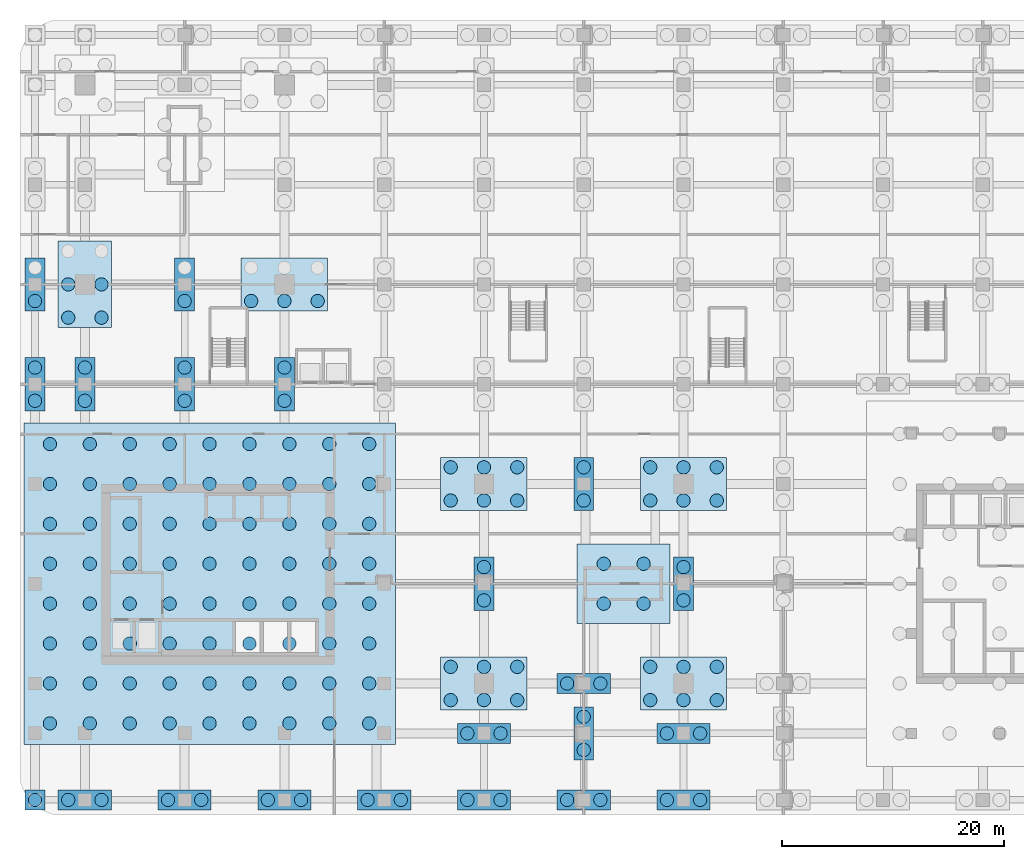
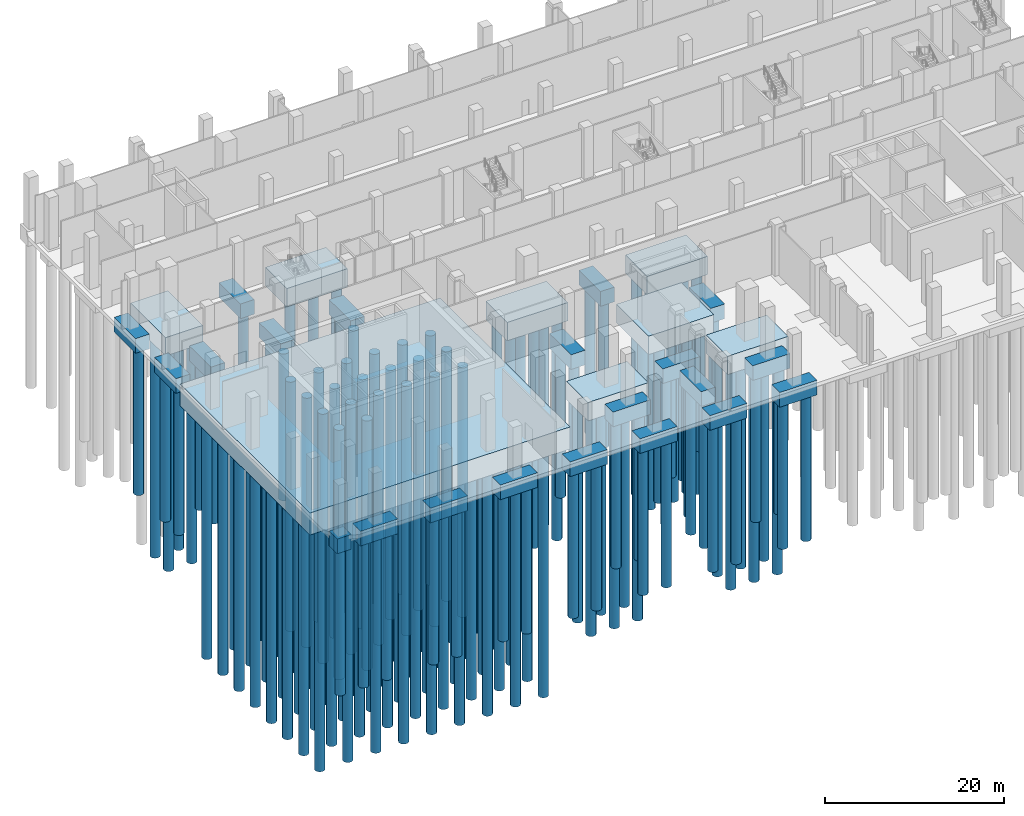
# One storey, part 1 of 23: 146 piles, 29 footings.
"""IFC4 building model written with IfcOpenShell, lengths in metres."""

from ifc_helpers import new_model, si_unit, direction, frame, origin, origin_2d, place, context, subcontext, project, spatial, polyline, circle, outline, extrude, material, layer, layer_set, material_profile, profile_set, type_object, element, save


model = new_model("IFC4")

# Units and contexts
model_context = context("Model", 3, precision=1e-05, world=origin(), true_north=direction((0.0, 1.0)))
body_context = subcontext(model_context, "Body", "Model", "MODEL_VIEW")
ifc_project = project(units=[si_unit("LENGTHUNIT", "METRE"), si_unit("AREAUNIT", "SQUARE_METRE"), si_unit("VOLUMEUNIT", "CUBIC_METRE"), si_unit("PLANEANGLEUNIT", "RADIAN"), si_unit("MASSUNIT", "GRAM", prefix="KILO")], contexts=[model_context])

# Site, building, storey
site_placement = place(None, origin())
site = spatial("IfcSite", under=ifc_project, at=site_placement, CompositionType="ELEMENT")
building_placement = place(site_placement, origin())
building = spatial("IfcBuilding", under=site, at=building_placement, Name="Plateau Cross Towers", CompositionType="ELEMENT")
storey_placement = place(building_placement, frame((0.0, 0.0, -7.0)))
storey = spatial("IfcBuildingStorey", under=building, at=storey_placement, Name="B1", CompositionType="ELEMENT", Elevation=-7.0)

# Piles
ifc_material = material(Name="Concrete C40/50", Category="concrete")
ifc_material_profile = material_profile(ifc_material, circle(Radius=0.60009765625, at=origin_2d()), Name="Bored pile D1200")
ifc_profile_set = profile_set([ifc_material_profile], Name="Concrete C40/50")
pile_type = type_object("IfcPileType", Name="Bored pile D1200", PredefinedType="BORED", material=ifc_profile_set)
for number, where, z_axis, x_axis, name in (
    (1, (-3.14990234375, -3.60009765625, -2.800048828125), (0.0, 0.0, -1.0), (1.0, 0.0, 0.0), "RAFT-A pile 1"),
    (2, (-3.14990234375, 0.0, -2.800048828125), (0.0, 0.0, -1.0), (1.0, 0.0, 0.0), "RAFT-A pile 2"),
    (3, (-3.14990234375, 3.60009765625, -2.800048828125), (0.0, 0.0, -1.0), (1.0, 0.0, 0.0), "RAFT-A pile 3"),
    (4, (-3.14990234375, 7.199951171875, -2.800048828125), (0.0, 0.0, -1.0), (1.0, 0.0, 0.0), "RAFT-A pile 4"),
    (5, (-3.14990234375, 10.800048828125, -2.800048828125), (0.0, 0.0, -1.0), (1.0, 0.0, 0.0), "RAFT-A pile 5"),
    (6, (-3.14990234375, 14.39990234375, -2.800048828125), (0.0, 0.0, -1.0), (1.0, 0.0, 0.0), "RAFT-A pile 6"),
    (7, (-3.14990234375, 18.0, -2.800048828125), (0.0, 0.0, -1.0), (1.0, 0.0, 0.0), "RAFT-A pile 7"),
    (8, (-3.14990234375, 21.60009765625, -2.800048828125), (0.0, 0.0, -1.0), (1.0, 0.0, 0.0), "RAFT-A pile 8"),
    (9, (0.449951171875, -3.60009765625, -2.800048828125), (0.0, 0.0, -1.0), (1.0, 0.0, 0.0), "RAFT-A pile 9"),
    (10, (0.449951171875, 0.0, -2.800048828125), (0.0, 0.0, -1.0), (1.0, 0.0, 0.0), "RAFT-A pile 10"),
    (11, (0.449951171875, 3.60009765625, -2.800048828125), (0.0, 0.0, -1.0), (1.0, 0.0, 0.0), "RAFT-A pile 11"),
    (12, (0.449951171875, 7.199951171875, -2.800048828125), (0.0, 0.0, -1.0), (1.0, 0.0, 0.0), "RAFT-A pile 12"),
    (13, (0.449951171875, 10.800048828125, -2.800048828125), (0.0, 0.0, -1.0), (1.0, 0.0, 0.0), "RAFT-A pile 13"),
    (14, (0.449951171875, 14.39990234375, -2.800048828125), (0.0, 0.0, -1.0), (1.0, 0.0, 0.0), "RAFT-A pile 14"),
    (15, (0.449951171875, 18.0, -2.800048828125), (0.0, 0.0, -1.0), (1.0, 0.0, 0.0), "RAFT-A pile 15"),
    (16, (0.449951171875, 21.60009765625, -2.800048828125), (0.0, 0.0, -1.0), (1.0, 0.0, 0.0), "RAFT-A pile 16"),
    (17, (4.050048828125, -3.60009765625, -2.800048828125), (0.0, 0.0, -1.0), (1.0, 0.0, 0.0), "RAFT-A pile 17"),
    (18, (4.050048828125, 0.0, -2.800048828125), (0.0, 0.0, -1.0), (1.0, 0.0, 0.0), "RAFT-A pile 18"),
    (19, (4.050048828125, 3.60009765625, -2.800048828125), (0.0, 0.0, -1.0), (1.0, 0.0, 0.0), "RAFT-A pile 19"),
    (20, (4.050048828125, 7.199951171875, -2.800048828125), (0.0, 0.0, -1.0), (1.0, 0.0, 0.0), "RAFT-A pile 20"),
    (21, (4.050048828125, 10.800048828125, -2.800048828125), (0.0, 0.0, -1.0), (1.0, 0.0, 0.0), "RAFT-A pile 21"),
    (22, (4.050048828125, 14.39990234375, -2.800048828125), (0.0, 0.0, -1.0), (1.0, 0.0, 0.0), "RAFT-A pile 22"),
    (23, (4.050048828125, 18.0, -2.800048828125), (0.0, 0.0, -1.0), (1.0, 0.0, 0.0), "RAFT-A pile 23"),
    (24, (4.050048828125, 21.60009765625, -2.800048828125), (0.0, 0.0, -1.0), (1.0, 0.0, 0.0), "RAFT-A pile 24"),
    (25, (7.64990234375, -3.60009765625, -2.800048828125), (0.0, 0.0, -1.0), (1.0, 0.0, 0.0), "RAFT-A pile 25"),
    (26, (7.64990234375, 0.0, -2.800048828125), (0.0, 0.0, -1.0), (1.0, 0.0, 0.0), "RAFT-A pile 26"),
    (27, (7.64990234375, 3.60009765625, -2.800048828125), (0.0, 0.0, -1.0), (1.0, 0.0, 0.0), "RAFT-A pile 27"),
    (28, (7.64990234375, 7.199951171875, -2.800048828125), (0.0, 0.0, -1.0), (1.0, 0.0, 0.0), "RAFT-A pile 28"),
    (29, (7.64990234375, 10.800048828125, -2.800048828125), (0.0, 0.0, -1.0), (1.0, 0.0, 0.0), "RAFT-A pile 29"),
    (30, (7.64990234375, 14.39990234375, -2.800048828125), (0.0, 0.0, -1.0), (1.0, 0.0, 0.0), "RAFT-A pile 30"),
    (31, (7.64990234375, 18.0, -2.800048828125), (0.0, 0.0, -1.0), (1.0, 0.0, 0.0), "RAFT-A pile 31"),
    (32, (7.64990234375, 21.60009765625, -2.800048828125), (0.0, 0.0, -1.0), (1.0, 0.0, 0.0), "RAFT-A pile 32"),
    (33, (11.25, -3.60009765625, -2.800048828125), (0.0, 0.0, -1.0), (1.0, 0.0, 0.0), "RAFT-A pile 33"),
    (34, (11.25, 0.0, -2.800048828125), (0.0, 0.0, -1.0), (1.0, 0.0, 0.0), "RAFT-A pile 34"),
    (35, (11.25, 3.60009765625, -2.800048828125), (0.0, 0.0, -1.0), (1.0, 0.0, 0.0), "RAFT-A pile 35"),
    (36, (11.25, 7.199951171875, -2.800048828125), (0.0, 0.0, -1.0), (1.0, 0.0, 0.0), "RAFT-A pile 36"),
    (37, (11.25, 10.800048828125, -2.800048828125), (0.0, 0.0, -1.0), (1.0, 0.0, 0.0), "RAFT-A pile 37"),
    (38, (11.25, 14.39990234375, -2.800048828125), (0.0, 0.0, -1.0), (1.0, 0.0, 0.0), "RAFT-A pile 38"),
    (39, (11.25, 18.0, -2.800048828125), (0.0, 0.0, -1.0), (1.0, 0.0, 0.0), "RAFT-A pile 39"),
    (40, (11.25, 21.60009765625, -2.800048828125), (0.0, 0.0, -1.0), (1.0, 0.0, 0.0), "RAFT-A pile 40"),
    (41, (14.85009765625, -3.60009765625, -2.800048828125), (0.0, 0.0, -1.0), (1.0, 0.0, 0.0), "RAFT-A pile 41"),
    (42, (14.85009765625, 0.0, -2.800048828125), (0.0, 0.0, -1.0), (1.0, 0.0, 0.0), "RAFT-A pile 42"),
    (43, (14.85009765625, 3.60009765625, -2.800048828125), (0.0, 0.0, -1.0), (1.0, 0.0, 0.0), "RAFT-A pile 43"),
    (44, (14.85009765625, 7.199951171875, -2.800048828125), (0.0, 0.0, -1.0), (1.0, 0.0, 0.0), "RAFT-A pile 44"),
    (45, (14.85009765625, 10.800048828125, -2.800048828125), (0.0, 0.0, -1.0), (1.0, 0.0, 0.0), "RAFT-A pile 45"),
    (46, (14.85009765625, 14.39990234375, -2.800048828125), (0.0, 0.0, -1.0), (1.0, 0.0, 0.0), "RAFT-A pile 46"),
    (47, (14.85009765625, 18.0, -2.800048828125), (0.0, 0.0, -1.0), (1.0, 0.0, 0.0), "RAFT-A pile 47"),
    (48, (14.85009765625, 21.60009765625, -2.800048828125), (0.0, 0.0, -1.0), (1.0, 0.0, 0.0), "RAFT-A pile 48"),
    (49, (18.449951171875, -3.60009765625, -2.800048828125), (0.0, 0.0, -1.0), (1.0, 0.0, 0.0), "RAFT-A pile 49"),
    (50, (18.449951171875, 0.0, -2.800048828125), (0.0, 0.0, -1.0), (1.0, 0.0, 0.0), "RAFT-A pile 50"),
    (51, (18.449951171875, 3.60009765625, -2.800048828125), (0.0, 0.0, -1.0), (1.0, 0.0, 0.0), "RAFT-A pile 51"),
    (52, (18.449951171875, 7.199951171875, -2.800048828125), (0.0, 0.0, -1.0), (1.0, 0.0, 0.0), "RAFT-A pile 52"),
    (53, (18.449951171875, 10.800048828125, -2.800048828125), (0.0, 0.0, -1.0), (1.0, 0.0, 0.0), "RAFT-A pile 53"),
    (54, (18.449951171875, 14.39990234375, -2.800048828125), (0.0, 0.0, -1.0), (1.0, 0.0, 0.0), "RAFT-A pile 54"),
    (55, (18.449951171875, 18.0, -2.800048828125), (0.0, 0.0, -1.0), (1.0, 0.0, 0.0), "RAFT-A pile 55"),
    (56, (18.449951171875, 21.60009765625, -2.800048828125), (0.0, 0.0, -1.0), (1.0, 0.0, 0.0), "RAFT-A pile 56"),
    (57, (22.050048828125, -3.60009765625, -2.800048828125), (0.0, 0.0, -1.0), (1.0, 0.0, 0.0), "RAFT-A pile 57"),
    (58, (22.050048828125, 0.0, -2.800048828125), (0.0, 0.0, -1.0), (1.0, 0.0, 0.0), "RAFT-A pile 58"),
    (59, (22.050048828125, 3.60009765625, -2.800048828125), (0.0, 0.0, -1.0), (1.0, 0.0, 0.0), "RAFT-A pile 59"),
    (60, (22.050048828125, 7.199951171875, -2.800048828125), (0.0, 0.0, -1.0), (1.0, 0.0, 0.0), "RAFT-A pile 60"),
    (61, (22.050048828125, 10.800048828125, -2.800048828125), (0.0, 0.0, -1.0), (1.0, 0.0, 0.0), "RAFT-A pile 61"),
    (62, (22.050048828125, 14.39990234375, -2.800048828125), (0.0, 0.0, -1.0), (1.0, 0.0, 0.0), "RAFT-A pile 62"),
    (63, (22.050048828125, 18.0, -2.800048828125), (0.0, 0.0, -1.0), (1.0, 0.0, 0.0), "RAFT-A pile 63"),
    (64, (22.050048828125, 21.60009765625, -2.800048828125), (0.0, 0.0, -1.0), (1.0, 0.0, 0.0), "RAFT-A pile 64"),
    (65, (25.64990234375, -3.60009765625, -2.800048828125), (0.0, 0.0, -1.0), (1.0, 0.0, 0.0), "RAFT-A pile 65"),
    (66, (25.64990234375, 0.0, -2.800048828125), (0.0, 0.0, -1.0), (1.0, 0.0, 0.0), "RAFT-A pile 66"),
    (67, (25.64990234375, 3.60009765625, -2.800048828125), (0.0, 0.0, -1.0), (1.0, 0.0, 0.0), "RAFT-A pile 67"),
    (68, (25.64990234375, 7.199951171875, -2.800048828125), (0.0, 0.0, -1.0), (1.0, 0.0, 0.0), "RAFT-A pile 68"),
    (69, (25.64990234375, 10.800048828125, -2.800048828125), (0.0, 0.0, -1.0), (1.0, 0.0, 0.0), "RAFT-A pile 69"),
    (70, (25.64990234375, 14.39990234375, -2.800048828125), (0.0, 0.0, -1.0), (1.0, 0.0, 0.0), "RAFT-A pile 70"),
    (71, (25.64990234375, 18.0, -2.800048828125), (0.0, 0.0, -1.0), (1.0, 0.0, 0.0), "RAFT-A pile 71"),
    (72, (25.64990234375, 21.60009765625, -2.800048828125), (0.0, 0.0, -1.0), (1.0, 0.0, 0.0), "RAFT-A pile 72"),
):
    element("IfcPile", number, at=place(storey_placement, frame(where, z_axis=z_axis, x_axis=x_axis)), inside=storey, type_object=pile_type, Name=name, PredefinedType="BORED", context=body_context, shape_type="SweptSolid", body=[
        extrude(circle(Radius=0.60009765625, at=origin_2d()), origin(), (0.0, 0.0, 1.0), 34.0),
    ])
for number, where, z_axis, x_axis, name in (
    (73, (46.800048828125, 7.199951171875, -2.300048828125), (0.0, 0.0, -1.0), (1.0, 0.0, 0.0), "CAP-A-end-E pile 1"),
    (74, (50.39990234375, 7.199951171875, -2.300048828125), (0.0, 0.0, -1.0), (1.0, 0.0, 0.0), "CAP-A-end-E pile 2"),
    (75, (46.800048828125, 10.800048828125, -2.300048828125), (0.0, 0.0, -1.0), (1.0, 0.0, 0.0), "CAP-A-end-E pile 3"),
    (76, (50.39990234375, 10.800048828125, -2.300048828125), (0.0, 0.0, -1.0), (1.0, 0.0, 0.0), "CAP-A-end-E pile 4"),
):
    element("IfcPile", number, at=place(storey_placement, frame(where, z_axis=z_axis, x_axis=x_axis)), inside=storey, type_object=pile_type, Name=name, PredefinedType="BORED", context=body_context, shape_type="SweptSolid", body=[
        extrude(circle(Radius=0.60009765625, at=origin_2d()), origin(), (0.0, 0.0, 1.0), 22.0),
    ])
for number, where, z_axis, x_axis, name in (
    (77, (-1.5, 33.0, -2.300048828125), (0.0, 0.0, -1.0), (1.0, 0.0, 0.0), "CAP-P-C0_360 pile 1"),
    (78, (-1.5, 36.0, -2.300048828125), (0.0, 0.0, -1.0), (1.0, 0.0, 0.0), "CAP-P-C0_360 pile 2"),
    (79, (1.5, 33.0, -2.300048828125), (0.0, 0.0, -1.0), (1.0, 0.0, 0.0), "CAP-P-C0_360 pile 4"),
    (80, (1.5, 36.0, -2.300048828125), (0.0, 0.0, -1.0), (1.0, 0.0, 0.0), "CAP-P-C0_360 pile 5"),
    (81, (15.0, 34.5, -2.300048828125), (0.0, 0.0, -1.0), (1.0, 0.0, 0.0), "CAP-P-C180_360 pile 1"),
    (82, (18.0, 34.5, -2.300048828125), (0.0, 0.0, -1.0), (1.0, 0.0, 0.0), "CAP-P-C180_360 pile 3"),
    (83, (21.0, 34.5, -2.300048828125), (0.0, 0.0, -1.0), (1.0, 0.0, 0.0), "CAP-P-C180_360 pile 5"),
    (84, (33.0, -1.5, -2.300048828125), (0.0, 0.0, -1.0), (1.0, 0.0, 0.0), "CAP-P-C360_0 pile 1"),
    (85, (33.0, 1.5, -2.300048828125), (0.0, 0.0, -1.0), (1.0, 0.0, 0.0), "CAP-P-C360_0 pile 2"),
    (86, (36.0, -1.5, -2.300048828125), (0.0, 0.0, -1.0), (1.0, 0.0, 0.0), "CAP-P-C360_0 pile 3"),
    (87, (36.0, 1.5, -2.300048828125), (0.0, 0.0, -1.0), (1.0, 0.0, 0.0), "CAP-P-C360_0 pile 4"),
    (88, (39.0, -1.5, -2.300048828125), (0.0, 0.0, -1.0), (1.0, 0.0, 0.0), "CAP-P-C360_0 pile 5"),
    (89, (39.0, 1.5, -2.300048828125), (0.0, 0.0, -1.0), (1.0, 0.0, 0.0), "CAP-P-C360_0 pile 6"),
    (90, (33.0, 16.5, -2.300048828125), (0.0, 0.0, -1.0), (1.0, 0.0, 0.0), "CAP-P-C360_180 pile 1"),
    (91, (33.0, 19.5, -2.300048828125), (0.0, 0.0, -1.0), (1.0, 0.0, 0.0), "CAP-P-C360_180 pile 2"),
    (92, (36.0, 16.5, -2.300048828125), (0.0, 0.0, -1.0), (1.0, 0.0, 0.0), "CAP-P-C360_180 pile 3"),
    (93, (36.0, 19.5, -2.300048828125), (0.0, 0.0, -1.0), (1.0, 0.0, 0.0), "CAP-P-C360_180 pile 4"),
    (94, (39.0, 16.5, -2.300048828125), (0.0, 0.0, -1.0), (1.0, 0.0, 0.0), "CAP-P-C360_180 pile 5"),
    (95, (39.0, 19.5, -2.300048828125), (0.0, 0.0, -1.0), (1.0, 0.0, 0.0), "CAP-P-C360_180 pile 6"),
    (96, (51.0, -1.5, -2.300048828125), (0.0, 0.0, -1.0), (1.0, 0.0, 0.0), "CAP-P-C540_0 pile 1"),
    (97, (51.0, 1.5, -2.300048828125), (0.0, 0.0, -1.0), (1.0, 0.0, 0.0), "CAP-P-C540_0 pile 2"),
    (98, (54.0, -1.5, -2.300048828125), (0.0, 0.0, -1.0), (1.0, 0.0, 0.0), "CAP-P-C540_0 pile 3"),
    (99, (54.0, 1.5, -2.300048828125), (0.0, 0.0, -1.0), (1.0, 0.0, 0.0), "CAP-P-C540_0 pile 4"),
    (100, (57.0, -1.5, -2.300048828125), (0.0, 0.0, -1.0), (1.0, 0.0, 0.0), "CAP-P-C540_0 pile 5"),
    (101, (57.0, 1.5, -2.300048828125), (0.0, 0.0, -1.0), (1.0, 0.0, 0.0), "CAP-P-C540_0 pile 6"),
    (102, (51.0, 16.5, -2.300048828125), (0.0, 0.0, -1.0), (1.0, 0.0, 0.0), "CAP-P-C540_180 pile 1"),
    (103, (51.0, 19.5, -2.300048828125), (0.0, 0.0, -1.0), (1.0, 0.0, 0.0), "CAP-P-C540_180 pile 2"),
    (104, (54.0, 16.5, -2.300048828125), (0.0, 0.0, -1.0), (1.0, 0.0, 0.0), "CAP-P-C540_180 pile 3"),
    (105, (54.0, 19.5, -2.300048828125), (0.0, 0.0, -1.0), (1.0, 0.0, 0.0), "CAP-P-C540_180 pile 4"),
    (106, (57.0, 16.5, -2.300048828125), (0.0, 0.0, -1.0), (1.0, 0.0, 0.0), "CAP-P-C540_180 pile 5"),
    (107, (57.0, 19.5, -2.300048828125), (0.0, 0.0, -1.0), (1.0, 0.0, 0.0), "CAP-P-C540_180 pile 6"),
):
    element("IfcPile", number, at=place(storey_placement, frame(where, z_axis=z_axis, x_axis=x_axis)), inside=storey, type_object=pile_type, Name=name, PredefinedType="BORED", context=body_context, shape_type="SweptSolid", body=[
        extrude(circle(Radius=0.60009765625, at=origin_2d()), origin(), (0.0, 0.0, 1.0), 30.0),
    ])
for number, where, z_axis, x_axis, name in (
    (108, (-4.5, -10.5, -1.800048828125), (0.0, 0.0, -1.0), (1.0, 0.0, 0.0), "CAP-P-C-45_-105 pile 1"),
    (109, (-4.5, 25.5, -1.800048828125), (0.0, 0.0, -1.0), (1.0, 0.0, 0.0), "CAP-P-C-45_270 pile 1"),
    (110, (-4.5, 28.5, -1.800048828125), (0.0, 0.0, -1.0), (1.0, 0.0, 0.0), "CAP-P-C-45_270 pile 2"),
    (111, (-4.5, 34.5, -1.800048828125), (0.0, 0.0, -1.0), (1.0, 0.0, 0.0), "CAP-P-C-45_360 pile 1"),
    (112, (-1.5, -10.5, -1.800048828125), (0.0, 0.0, -1.0), (1.0, 0.0, 0.0), "CAP-P-C0_-105 pile 1"),
    (113, (1.5, -10.5, -1.800048828125), (0.0, 0.0, -1.0), (1.0, 0.0, 0.0), "CAP-P-C0_-105 pile 2"),
    (114, (0.0, 25.5, -1.800048828125), (0.0, 0.0, -1.0), (1.0, 0.0, 0.0), "CAP-P-C0_270 pile 1"),
    (115, (0.0, 28.5, -1.800048828125), (0.0, 0.0, -1.0), (1.0, 0.0, 0.0), "CAP-P-C0_270 pile 2"),
    (116, (7.5, -10.5, -1.800048828125), (0.0, 0.0, -1.0), (1.0, 0.0, 0.0), "CAP-P-C90_-105 pile 1"),
    (117, (10.5, -10.5, -1.800048828125), (0.0, 0.0, -1.0), (1.0, 0.0, 0.0), "CAP-P-C90_-105 pile 2"),
    (118, (9.0, 25.5, -1.800048828125), (0.0, 0.0, -1.0), (1.0, 0.0, 0.0), "CAP-P-C90_270 pile 1"),
    (119, (9.0, 28.5, -1.800048828125), (0.0, 0.0, -1.0), (1.0, 0.0, 0.0), "CAP-P-C90_270 pile 2"),
    (120, (9.0, 34.5, -1.800048828125), (0.0, 0.0, -1.0), (1.0, 0.0, 0.0), "CAP-P-C90_360 pile 1"),
    (121, (16.5, -10.5, -1.800048828125), (0.0, 0.0, -1.0), (1.0, 0.0, 0.0), "CAP-P-C180_-105 pile 1"),
    (122, (19.5, -10.5, -1.800048828125), (0.0, 0.0, -1.0), (1.0, 0.0, 0.0), "CAP-P-C180_-105 pile 2"),
    (123, (18.0, 25.5, -1.800048828125), (0.0, 0.0, -1.0), (1.0, 0.0, 0.0), "CAP-P-C180_270 pile 1"),
    (124, (18.0, 28.5, -1.800048828125), (0.0, 0.0, -1.0), (1.0, 0.0, 0.0), "CAP-P-C180_270 pile 2"),
    (125, (25.5, -10.5, -1.800048828125), (0.0, 0.0, -1.0), (1.0, 0.0, 0.0), "CAP-P-C270_-105 pile 1"),
    (126, (28.5, -10.5, -1.800048828125), (0.0, 0.0, -1.0), (1.0, 0.0, 0.0), "CAP-P-C270_-105 pile 2"),
    (127, (34.5, -10.5, -1.800048828125), (0.0, 0.0, -1.0), (1.0, 0.0, 0.0), "CAP-P-C360_-105 pile 1"),
    (128, (37.5, -10.5, -1.800048828125), (0.0, 0.0, -1.0), (1.0, 0.0, 0.0), "CAP-P-C360_-105 pile 2"),
    (129, (34.5, -4.5, -1.800048828125), (0.0, 0.0, -1.0), (1.0, 0.0, 0.0), "CAP-P-C360_-45 pile 1"),
    (130, (37.5, -4.5, -1.800048828125), (0.0, 0.0, -1.0), (1.0, 0.0, 0.0), "CAP-P-C360_-45 pile 2"),
    (131, (36.0, 7.5, -1.800048828125), (0.0, 0.0, -1.0), (1.0, 0.0, 0.0), "CAP-P-C360_90 pile 1"),
    (132, (36.0, 10.5, -1.800048828125), (0.0, 0.0, -1.0), (1.0, 0.0, 0.0), "CAP-P-C360_90 pile 2"),
    (133, (43.5, -10.5, -1.800048828125), (0.0, 0.0, -1.0), (1.0, 0.0, 0.0), "CAP-P-C450_-105 pile 1"),
    (134, (46.5, -10.5, -1.800048828125), (0.0, 0.0, -1.0), (1.0, 0.0, 0.0), "CAP-P-C450_-105 pile 2"),
    (135, (45.0, -6.0, -1.800048828125), (0.0, 0.0, -1.0), (1.0, 0.0, 0.0), "CAP-P-C450_-45 pile 1"),
    (136, (45.0, -3.0, -1.800048828125), (0.0, 0.0, -1.0), (1.0, 0.0, 0.0), "CAP-P-C450_-45 pile 2"),
    (137, (43.5, 0.0, -1.800048828125), (0.0, 0.0, -1.0), (1.0, 0.0, 0.0), "CAP-P-C450_0 pile 1"),
    (138, (46.5, 0.0, -1.800048828125), (0.0, 0.0, -1.0), (1.0, 0.0, 0.0), "CAP-P-C450_0 pile 2"),
    (139, (45.0, 16.5, -1.800048828125), (0.0, 0.0, -1.0), (1.0, 0.0, 0.0), "CAP-P-C450_180 pile 1"),
    (140, (45.0, 19.5, -1.800048828125), (0.0, 0.0, -1.0), (1.0, 0.0, 0.0), "CAP-P-C450_180 pile 2"),
    (141, (52.5, -10.5, -1.800048828125), (0.0, 0.0, -1.0), (1.0, 0.0, 0.0), "CAP-P-C540_-105 pile 1"),
    (142, (55.5, -10.5, -1.800048828125), (0.0, 0.0, -1.0), (1.0, 0.0, 0.0), "CAP-P-C540_-105 pile 2"),
    (143, (52.5, -4.5, -1.800048828125), (0.0, 0.0, -1.0), (1.0, 0.0, 0.0), "CAP-P-C540_-45 pile 1"),
    (144, (55.5, -4.5, -1.800048828125), (0.0, 0.0, -1.0), (1.0, 0.0, 0.0), "CAP-P-C540_-45 pile 2"),
    (145, (54.0, 7.5, -1.800048828125), (0.0, 0.0, -1.0), (1.0, 0.0, 0.0), "CAP-P-C540_90 pile 1"),
    (146, (54.0, 10.5, -1.800048828125), (0.0, 0.0, -1.0), (1.0, 0.0, 0.0), "CAP-P-C540_90 pile 2"),
):
    element("IfcPile", number, at=place(storey_placement, frame(where, z_axis=z_axis, x_axis=x_axis)), inside=storey, type_object=pile_type, Name=name, PredefinedType="BORED", context=body_context, shape_type="SweptSolid", body=[
        extrude(circle(Radius=0.60009765625, at=origin_2d()), origin(), (0.0, 0.0, 1.0), 20.0),
    ])

# Footings
ifc_layer = layer(ifc_material, 3.0)
ifc_layer_set = layer_set([ifc_layer], Name="Concrete C40/50")
footing_type_1 = type_object("IfcFootingType", Name="Core raft tower A 3000", PredefinedType="PAD_FOOTING", material=ifc_layer_set)
footing_1_placement = place(storey_placement, frame((0.0, 0.0, -3.0)))
element("IfcFooting", 147, at=footing_1_placement, inside=storey, type_object=footing_type_1, Name="RAFT-A", PredefinedType="PAD_FOOTING", context=body_context, shape_type="SweptSolid", body=[
    extrude(outline(polyline([(28.0, -5.5), (28.0, 23.5), (-5.5, 23.5), (-5.5, -5.5), (28.0, -5.5)])), origin(), (0.0, 0.0, 1.0), 3.0),
])
footing_type_2 = type_object("IfcFootingType", Name="Pile cap 1800x1800x2000", PredefinedType="PILE_CAP", material=ifc_material)
footing_2_placement = place(storey_placement, frame((0.0, 0.0, -2.0)))
element("IfcFooting", 148, at=footing_2_placement, inside=storey, type_object=footing_type_2, Name="CAP-P-C-45_-105", PredefinedType="PILE_CAP", context=body_context, shape_type="SweptSolid", body=[
    extrude(outline(polyline([(-3.60009765625, -11.39990234375), (-3.60009765625, -9.60009765625), (-5.39990234375, -9.60009765625), (-5.39990234375, -11.39990234375), (-3.60009765625, -11.39990234375)])), origin(), (0.0, 0.0, 1.0), 2.0),
])
footing_type_3 = type_object("IfcFootingType", Name="Pile cap 1800x4800x2000", PredefinedType="PILE_CAP", material=ifc_material)
footing_3_placement = place(storey_placement, frame((0.0, 0.0, -2.0)))
element("IfcFooting", 149, at=footing_3_placement, inside=storey, type_object=footing_type_3, Name="CAP-P-C-45_270", PredefinedType="PILE_CAP", context=body_context, shape_type="SweptSolid", body=[
    extrude(outline(polyline([(-3.60009765625, 24.60009765625), (-3.60009765625, 29.39990234375), (-5.39990234375, 29.39990234375), (-5.39990234375, 24.60009765625), (-3.60009765625, 24.60009765625)])), origin(), (0.0, 0.0, 1.0), 2.0),
])
footing_4_placement = place(storey_placement, frame((0.0, 0.0, -2.0)))
element("IfcFooting", 150, at=footing_4_placement, inside=storey, type_object=footing_type_3, Name="CAP-P-C-45_360", PredefinedType="PILE_CAP", context=body_context, shape_type="SweptSolid", body=[
    extrude(outline(polyline([(-3.60009765625, 33.60009765625), (-3.60009765625, 38.39990234375), (-5.39990234375, 38.39990234375), (-5.39990234375, 33.60009765625), (-3.60009765625, 33.60009765625)])), origin(), (0.0, 0.0, 1.0), 2.0),
])
footing_5_placement = place(storey_placement, frame((0.0, 0.0, -2.0)))
element("IfcFooting", 151, at=footing_5_placement, inside=storey, type_object=footing_type_3, Name="CAP-P-C0_270", PredefinedType="PILE_CAP", context=body_context, shape_type="SweptSolid", body=[
    extrude(outline(polyline([(0.89990234375, 24.60009765625), (0.89990234375, 29.39990234375), (-0.89990234375, 29.39990234375), (-0.89990234375, 24.60009765625), (0.89990234375, 24.60009765625)])), origin(), (0.0, 0.0, 1.0), 2.0),
])
footing_6_placement = place(storey_placement, frame((0.0, 0.0, -2.0)))
element("IfcFooting", 152, at=footing_6_placement, inside=storey, type_object=footing_type_3, Name="CAP-P-C90_270", PredefinedType="PILE_CAP", context=body_context, shape_type="SweptSolid", body=[
    extrude(outline(polyline([(9.89990234375, 24.60009765625), (9.89990234375, 29.39990234375), (8.10009765625, 29.39990234375), (8.10009765625, 24.60009765625), (9.89990234375, 24.60009765625)])), origin(), (0.0, 0.0, 1.0), 2.0),
])
footing_7_placement = place(storey_placement, frame((0.0, 0.0, -2.0)))
element("IfcFooting", 153, at=footing_7_placement, inside=storey, type_object=footing_type_3, Name="CAP-P-C90_360", PredefinedType="PILE_CAP", context=body_context, shape_type="SweptSolid", body=[
    extrude(outline(polyline([(9.89990234375, 33.60009765625), (9.89990234375, 38.39990234375), (8.10009765625, 38.39990234375), (8.10009765625, 33.60009765625), (9.89990234375, 33.60009765625)])), origin(), (0.0, 0.0, 1.0), 2.0),
])
footing_8_placement = place(storey_placement, frame((0.0, 0.0, -2.0)))
element("IfcFooting", 154, at=footing_8_placement, inside=storey, type_object=footing_type_3, Name="CAP-P-C180_270", PredefinedType="PILE_CAP", context=body_context, shape_type="SweptSolid", body=[
    extrude(outline(polyline([(18.89990234375, 24.60009765625), (18.89990234375, 29.39990234375), (17.10009765625, 29.39990234375), (17.10009765625, 24.60009765625), (18.89990234375, 24.60009765625)])), origin(), (0.0, 0.0, 1.0), 2.0),
])
footing_9_placement = place(storey_placement, frame((0.0, 0.0, -2.0)))
element("IfcFooting", 155, at=footing_9_placement, inside=storey, type_object=footing_type_3, Name="CAP-P-C360_90", PredefinedType="PILE_CAP", context=body_context, shape_type="SweptSolid", body=[
    extrude(outline(polyline([(36.89990234375, 6.60009765625), (36.89990234375, 11.39990234375), (35.10009765625, 11.39990234375), (35.10009765625, 6.60009765625), (36.89990234375, 6.60009765625)])), origin(), (0.0, 0.0, 1.0), 2.0),
])
footing_10_placement = place(storey_placement, frame((0.0, 0.0, -2.0)))
element("IfcFooting", 156, at=footing_10_placement, inside=storey, type_object=footing_type_3, Name="CAP-P-C450_-45", PredefinedType="PILE_CAP", context=body_context, shape_type="SweptSolid", body=[
    extrude(outline(polyline([(45.89990234375, -6.89990234375), (45.89990234375, -2.10009765625), (44.10009765625, -2.10009765625), (44.10009765625, -6.89990234375), (45.89990234375, -6.89990234375)])), origin(), (0.0, 0.0, 1.0), 2.0),
])
footing_11_placement = place(storey_placement, frame((0.0, 0.0, -2.0)))
element("IfcFooting", 157, at=footing_11_placement, inside=storey, type_object=footing_type_3, Name="CAP-P-C450_180", PredefinedType="PILE_CAP", context=body_context, shape_type="SweptSolid", body=[
    extrude(outline(polyline([(45.89990234375, 15.60009765625), (45.89990234375, 20.39990234375), (44.10009765625, 20.39990234375), (44.10009765625, 15.60009765625), (45.89990234375, 15.60009765625)])), origin(), (0.0, 0.0, 1.0), 2.0),
])
footing_12_placement = place(storey_placement, frame((0.0, 0.0, -2.0)))
element("IfcFooting", 158, at=footing_12_placement, inside=storey, type_object=footing_type_3, Name="CAP-P-C540_90", PredefinedType="PILE_CAP", context=body_context, shape_type="SweptSolid", body=[
    extrude(outline(polyline([(54.89990234375, 6.60009765625), (54.89990234375, 11.39990234375), (53.10009765625, 11.39990234375), (53.10009765625, 6.60009765625), (54.89990234375, 6.60009765625)])), origin(), (0.0, 0.0, 1.0), 2.0),
])
footing_type_4 = type_object("IfcFootingType", Name="Pile cap 4800x1800x2000", PredefinedType="PILE_CAP", material=ifc_material)
footing_13_placement = place(storey_placement, frame((0.0, 0.0, -2.0)))
element("IfcFooting", 159, at=footing_13_placement, inside=storey, type_object=footing_type_4, Name="CAP-P-C0_-105", PredefinedType="PILE_CAP", context=body_context, shape_type="SweptSolid", body=[
    extrude(outline(polyline([(2.39990234375, -11.39990234375), (2.39990234375, -9.60009765625), (-2.39990234375, -9.60009765625), (-2.39990234375, -11.39990234375), (2.39990234375, -11.39990234375)])), origin(), (0.0, 0.0, 1.0), 2.0),
])
footing_14_placement = place(storey_placement, frame((0.0, 0.0, -2.0)))
element("IfcFooting", 160, at=footing_14_placement, inside=storey, type_object=footing_type_4, Name="CAP-P-C90_-105", PredefinedType="PILE_CAP", context=body_context, shape_type="SweptSolid", body=[
    extrude(outline(polyline([(11.39990234375, -11.39990234375), (11.39990234375, -9.60009765625), (6.60009765625, -9.60009765625), (6.60009765625, -11.39990234375), (11.39990234375, -11.39990234375)])), origin(), (0.0, 0.0, 1.0), 2.0),
])
footing_15_placement = place(storey_placement, frame((0.0, 0.0, -2.0)))
element("IfcFooting", 161, at=footing_15_placement, inside=storey, type_object=footing_type_4, Name="CAP-P-C180_-105", PredefinedType="PILE_CAP", context=body_context, shape_type="SweptSolid", body=[
    extrude(outline(polyline([(20.39990234375, -11.39990234375), (20.39990234375, -9.60009765625), (15.60009765625, -9.60009765625), (15.60009765625, -11.39990234375), (20.39990234375, -11.39990234375)])), origin(), (0.0, 0.0, 1.0), 2.0),
])
footing_16_placement = place(storey_placement, frame((0.0, 0.0, -2.0)))
element("IfcFooting", 162, at=footing_16_placement, inside=storey, type_object=footing_type_4, Name="CAP-P-C270_-105", PredefinedType="PILE_CAP", context=body_context, shape_type="SweptSolid", body=[
    extrude(outline(polyline([(29.39990234375, -11.39990234375), (29.39990234375, -9.60009765625), (24.60009765625, -9.60009765625), (24.60009765625, -11.39990234375), (29.39990234375, -11.39990234375)])), origin(), (0.0, 0.0, 1.0), 2.0),
])
footing_17_placement = place(storey_placement, frame((0.0, 0.0, -2.0)))
element("IfcFooting", 163, at=footing_17_placement, inside=storey, type_object=footing_type_4, Name="CAP-P-C360_-105", PredefinedType="PILE_CAP", context=body_context, shape_type="SweptSolid", body=[
    extrude(outline(polyline([(38.39990234375, -11.39990234375), (38.39990234375, -9.60009765625), (33.60009765625, -9.60009765625), (33.60009765625, -11.39990234375), (38.39990234375, -11.39990234375)])), origin(), (0.0, 0.0, 1.0), 2.0),
])
footing_18_placement = place(storey_placement, frame((0.0, 0.0, -2.0)))
element("IfcFooting", 164, at=footing_18_placement, inside=storey, type_object=footing_type_4, Name="CAP-P-C360_-45", PredefinedType="PILE_CAP", context=body_context, shape_type="SweptSolid", body=[
    extrude(outline(polyline([(38.39990234375, -5.39990234375), (38.39990234375, -3.60009765625), (33.60009765625, -3.60009765625), (33.60009765625, -5.39990234375), (38.39990234375, -5.39990234375)])), origin(), (0.0, 0.0, 1.0), 2.0),
])
footing_19_placement = place(storey_placement, frame((0.0, 0.0, -2.0)))
element("IfcFooting", 165, at=footing_19_placement, inside=storey, type_object=footing_type_4, Name="CAP-P-C450_-105", PredefinedType="PILE_CAP", context=body_context, shape_type="SweptSolid", body=[
    extrude(outline(polyline([(47.39990234375, -11.39990234375), (47.39990234375, -9.60009765625), (42.60009765625, -9.60009765625), (42.60009765625, -11.39990234375), (47.39990234375, -11.39990234375)])), origin(), (0.0, 0.0, 1.0), 2.0),
])
footing_20_placement = place(storey_placement, frame((0.0, 0.0, -2.0)))
element("IfcFooting", 166, at=footing_20_placement, inside=storey, type_object=footing_type_4, Name="CAP-P-C450_0", PredefinedType="PILE_CAP", context=body_context, shape_type="SweptSolid", body=[
    extrude(outline(polyline([(47.39990234375, -0.89990234375), (47.39990234375, 0.89990234375), (42.60009765625, 0.89990234375), (42.60009765625, -0.89990234375), (47.39990234375, -0.89990234375)])), origin(), (0.0, 0.0, 1.0), 2.0),
])
footing_21_placement = place(storey_placement, frame((0.0, 0.0, -2.0)))
element("IfcFooting", 167, at=footing_21_placement, inside=storey, type_object=footing_type_4, Name="CAP-P-C540_-105", PredefinedType="PILE_CAP", context=body_context, shape_type="SweptSolid", body=[
    extrude(outline(polyline([(56.39990234375, -11.39990234375), (56.39990234375, -9.60009765625), (51.60009765625, -9.60009765625), (51.60009765625, -11.39990234375), (56.39990234375, -11.39990234375)])), origin(), (0.0, 0.0, 1.0), 2.0),
])
footing_22_placement = place(storey_placement, frame((0.0, 0.0, -2.0)))
element("IfcFooting", 168, at=footing_22_placement, inside=storey, type_object=footing_type_4, Name="CAP-P-C540_-45", PredefinedType="PILE_CAP", context=body_context, shape_type="SweptSolid", body=[
    extrude(outline(polyline([(56.39990234375, -5.39990234375), (56.39990234375, -3.60009765625), (51.60009765625, -3.60009765625), (51.60009765625, -5.39990234375), (56.39990234375, -5.39990234375)])), origin(), (0.0, 0.0, 1.0), 2.0),
])
footing_type_5 = type_object("IfcFootingType", Name="Stair tower pile cap 8400x7200x2500", PredefinedType="PILE_CAP", material=ifc_material)
footing_23_placement = place(storey_placement, frame((0.0, 0.0, -2.5)))
element("IfcFooting", 169, at=footing_23_placement, inside=storey, type_object=footing_type_5, Name="CAP-A-end-E", PredefinedType="PILE_CAP", context=body_context, shape_type="SweptSolid", body=[
    extrude(outline(polyline([(52.800048828125, 5.39990234375), (52.800048828125, 12.60009765625), (44.39990234375, 12.60009765625), (44.39990234375, 5.39990234375), (52.800048828125, 5.39990234375)])), origin(), (0.0, 0.0, 1.0), 2.5),
])
footing_type_6 = type_object("IfcFootingType", Name="Transfer column pile cap 4800x7800x2500", PredefinedType="PILE_CAP", material=ifc_material)
footing_24_placement = place(storey_placement, frame((0.0, 0.0, -2.5)))
element("IfcFooting", 170, at=footing_24_placement, inside=storey, type_object=footing_type_6, Name="CAP-P-C0_360", PredefinedType="PILE_CAP", context=body_context, shape_type="SweptSolid", body=[
    extrude(outline(polyline([(2.39990234375, 32.10009765625), (2.39990234375, 39.89990234375), (-2.39990234375, 39.89990234375), (-2.39990234375, 32.10009765625), (2.39990234375, 32.10009765625)])), origin(), (0.0, 0.0, 1.0), 2.5),
])
footing_type_7 = type_object("IfcFootingType", Name="Transfer column pile cap 7800x4800x2500", PredefinedType="PILE_CAP", material=ifc_material)
footing_25_placement = place(storey_placement, frame((0.0, 0.0, -2.5)))
element("IfcFooting", 171, at=footing_25_placement, inside=storey, type_object=footing_type_7, Name="CAP-P-C180_360", PredefinedType="PILE_CAP", context=body_context, shape_type="SweptSolid", body=[
    extrude(outline(polyline([(21.89990234375, 33.60009765625), (21.89990234375, 38.39990234375), (14.10009765625, 38.39990234375), (14.10009765625, 33.60009765625), (21.89990234375, 33.60009765625)])), origin(), (0.0, 0.0, 1.0), 2.5),
])
footing_26_placement = place(storey_placement, frame((0.0, 0.0, -2.5)))
element("IfcFooting", 172, at=footing_26_placement, inside=storey, type_object=footing_type_7, Name="CAP-P-C360_0", PredefinedType="PILE_CAP", context=body_context, shape_type="SweptSolid", body=[
    extrude(outline(polyline([(39.89990234375, -2.39990234375), (39.89990234375, 2.39990234375), (32.10009765625, 2.39990234375), (32.10009765625, -2.39990234375), (39.89990234375, -2.39990234375)])), origin(), (0.0, 0.0, 1.0), 2.5),
])
footing_27_placement = place(storey_placement, frame((0.0, 0.0, -2.5)))
element("IfcFooting", 173, at=footing_27_placement, inside=storey, type_object=footing_type_7, Name="CAP-P-C360_180", PredefinedType="PILE_CAP", context=body_context, shape_type="SweptSolid", body=[
    extrude(outline(polyline([(39.89990234375, 15.60009765625), (39.89990234375, 20.39990234375), (32.10009765625, 20.39990234375), (32.10009765625, 15.60009765625), (39.89990234375, 15.60009765625)])), origin(), (0.0, 0.0, 1.0), 2.5),
])
footing_28_placement = place(storey_placement, frame((0.0, 0.0, -2.5)))
element("IfcFooting", 174, at=footing_28_placement, inside=storey, type_object=footing_type_7, Name="CAP-P-C540_0", PredefinedType="PILE_CAP", context=body_context, shape_type="SweptSolid", body=[
    extrude(outline(polyline([(57.89990234375, -2.39990234375), (57.89990234375, 2.39990234375), (50.10009765625, 2.39990234375), (50.10009765625, -2.39990234375), (57.89990234375, -2.39990234375)])), origin(), (0.0, 0.0, 1.0), 2.5),
])
footing_29_placement = place(storey_placement, frame((0.0, 0.0, -2.5)))
element("IfcFooting", 175, at=footing_29_placement, inside=storey, type_object=footing_type_7, Name="CAP-P-C540_180", PredefinedType="PILE_CAP", context=body_context, shape_type="SweptSolid", body=[
    extrude(outline(polyline([(57.89990234375, 15.60009765625), (57.89990234375, 20.39990234375), (50.10009765625, 20.39990234375), (50.10009765625, 15.60009765625), (57.89990234375, 15.60009765625)])), origin(), (0.0, 0.0, 1.0), 2.5),
])

save(model, "model.ifc")
